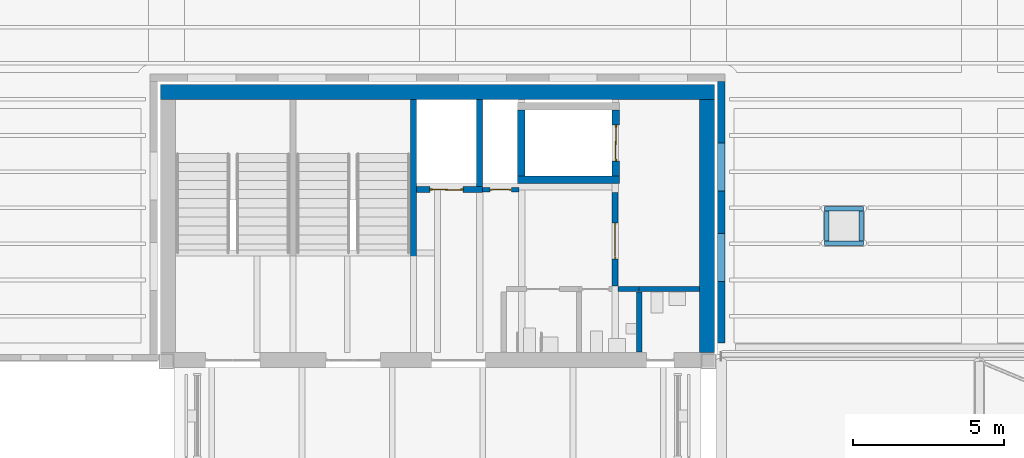
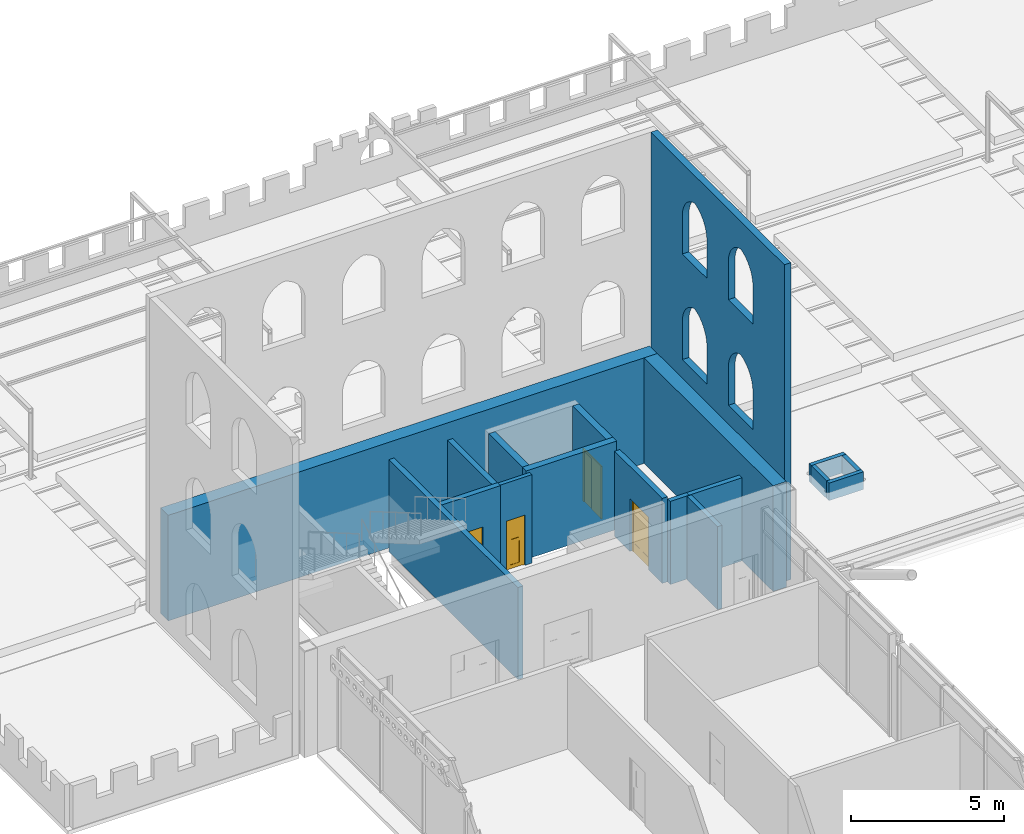
# One storey, part 110 of 153: 18 walls, 4 doors, 4 openings.
"""IFC4 building model written with IfcOpenShell, lengths in metres."""

from ifc_helpers import new_model, si_unit, direction, frame, frame_2d, origin, place, context, subcontext, project, spatial, polyline, rectangle, outline, extrude, material, layer, layer_set, type_object, element, fill, save


model = new_model("IFC4")

# Units and contexts
model_context = context("Model", 3, precision=1e-05, world=origin(), true_north=direction((0.0, 1.0)))
body_context = subcontext(model_context, "Body", "Model", "MODEL_VIEW")
ifc_project = project(units=[si_unit("LENGTHUNIT", "METRE"), si_unit("AREAUNIT", "SQUARE_METRE"), si_unit("VOLUMEUNIT", "CUBIC_METRE"), si_unit("PLANEANGLEUNIT", "RADIAN"), si_unit("MASSUNIT", "GRAM", prefix="KILO")], contexts=[model_context])

# Site, building, storey
site_placement = place(None, origin())
site = spatial("IfcSite", under=ifc_project, at=site_placement, CompositionType="ELEMENT")
building_placement = place(site_placement, origin())
building = spatial("IfcBuilding", under=site, at=building_placement, Name="Baradari Gate Terminus", CompositionType="ELEMENT")
storey_placement = place(building_placement, frame((0.0, 0.0, 11.699951171875)))
storey = spatial("IfcBuildingStorey", under=building, at=storey_placement, Name="L02", CompositionType="ELEMENT", Elevation=11.699951171875)

# Walls
ifc_material_1 = material(Name="Concrete C40/50", Category="concrete")
ifc_layer_1 = layer(ifc_material_1, 0.5)
ifc_layer_set_1 = layer_set([ifc_layer_1], Name="Concrete C40/50")
wall_type_1 = type_object("IfcWallType", Name="Abutment core wall CWL05 500", PredefinedType="SOLIDWALL", material=ifc_layer_set_1)
wall_1_placement = place(storey_placement, frame((71.800048828125, 89.949951171875, 0.0), z_axis=(0.0, 0.0, 1.0), x_axis=(1.0, 0.0, 0.0)))
element("IfcWall", 1, at=wall_1_placement, inside=storey, type_object=wall_type_1, Name="Abutment core wall GN N L02", PredefinedType="SOLIDWALL", context=body_context, shape_type="SweptSolid", body=[
    extrude(rectangle(XDim=18.39990234375, YDim=0.5, at=frame_2d((9.199951171875, 0.0))), origin(), (0.0, 0.0, 1.0), 4.199951171875),
])
wall_2_placement = place(storey_placement, frame((89.949951171875, 81.300048828125, 0.0), z_axis=(0.0, 0.0, 1.0), x_axis=(0.0, 1.0, 0.0)))
element("IfcWall", 2, at=wall_2_placement, inside=storey, type_object=wall_type_1, Name="Abutment core wall GN E L02", PredefinedType="SOLIDWALL", context=body_context, shape_type="SweptSolid", body=[
    extrude(rectangle(XDim=8.39990234375, YDim=0.5, at=frame_2d((4.199951171875, 0.0))), origin(), (0.0, 0.0, 1.0), 4.199951171875),
])
ifc_material_2 = material(Name="Concrete C32/40", Category="concrete")
ifc_layer_2 = layer(ifc_material_2, 0.25)
ifc_layer_set_2 = layer_set([ifc_layer_2], Name="Concrete C32/40")
wall_type_2 = type_object("IfcWallType", Name="Firefighting lift shaft wall SH-2 250 EI 120", PredefinedType="SOLIDWALL", material=ifc_layer_set_2)
wall_3_placement = place(storey_placement, frame((83.64990234375, 87.02490234375, 0.0), z_axis=(0.0, 0.0, 1.0), x_axis=(1.0, 0.0, 0.0)))
element("IfcWall", 3, at=wall_3_placement, inside=storey, type_object=wall_type_2, Name="Lift shaft wall LGN2 L02 S", PredefinedType="SOLIDWALL", context=body_context, shape_type="SweptSolid", body=[
    extrude(rectangle(XDim=3.400146484375, YDim=0.25, at=frame_2d((1.7001953125, 0.0))), origin(), (0.0, 0.0, 1.0), 3.51611328125),
])
wall_4_placement = place(storey_placement, frame((83.77490234375, 87.14990234375, 0.0), z_axis=(0.0, 0.0, 1.0), x_axis=(0.0, 1.0, 0.0)))
element("IfcWall", 4, at=wall_4_placement, inside=storey, type_object=wall_type_2, Name="Lift shaft wall LGN2 L02 W", PredefinedType="SOLIDWALL", context=body_context, shape_type="SweptSolid", body=[
    extrude(rectangle(XDim=2.2001953125, YDim=0.25, at=frame_2d((1.10009765625, 0.0))), origin(), (0.0, 0.0, 1.0), 3.51611328125),
])

# Wall, opening, door
wall_5_placement = place(storey_placement, frame((86.925048828125, 87.14990234375, 0.0), z_axis=(0.0, 0.0, 1.0), x_axis=(0.0, 1.0, 0.0)))
wall_5 = element("IfcWall", 5, at=wall_5_placement, inside=storey, type_object=wall_type_2, Name="Lift shaft wall LGN2 L02 E", PredefinedType="SOLIDWALL", context=body_context, shape_type="SweptSolid", body=[
    extrude(rectangle(XDim=2.2001953125, YDim=0.25, at=frame_2d((1.10009765625, 0.0))), origin(), (0.0, 0.0, 1.0), 3.51611328125),
])
opening_1_placement = place(wall_5_placement, frame((0.5, 0.0, 0.0)))
opening_1 = element("IfcOpeningElement", 6, at=opening_1_placement, cuts=wall_5, Name="Opening D02-002", PredefinedType="OPENING", context=body_context, shape_type="SweptSolid", body=[
    extrude(rectangle(XDim=1.199951171875, YDim=2.10009765625, at=frame_2d((0.60009765625, 1.050048828125))), frame((0.0, 0.135009765625, 0.0), z_axis=(0.0, -1.0, 0.0), x_axis=(1.0, 0.0, 0.0)), (0.0, 0.0, 1.0), 0.27001953125),
])
ifc_material_3 = material(Name="Stainless steel 1.4301", Category="steel")
door_type_1 = type_object("IfcDoorType", Name="Lift landing door LD2 1200x2100 E 120", OperationType="SLIDING_TO_LEFT", PredefinedType="DOOR", material=ifc_material_3)
door_1_placement = place(opening_1_placement, origin())
door_1 = element("IfcDoor", 7, at=door_1_placement, inside=storey, type_object=door_type_1, Name="Lift landing door LGN2 L02", OperationType="SLIDING_TO_LEFT", OverallHeight=2.1, OverallWidth=1.2, PredefinedType="DOOR", context=body_context, shape_type="SweptSolid", body=[
    extrude(outline(polyline([(0.0, 0.0), (0.070068359375, 0.0), (0.070068359375, 2.030029296875), (1.1298828125, 2.030029296875), (1.1298828125, 0.0), (1.199951171875, 0.0), (1.199951171875, 2.10009765625), (0.0, 2.10009765625), (0.0, 0.0)])), frame((0.0, 0.02490234375, 0.0), z_axis=(0.0, -1.0, 0.0), x_axis=(1.0, 0.0, 0.0)), (0.0, 0.0, 1.0), 0.050048828125),
    extrude(rectangle(XDim=0.57861328125, YDim=2.01611328125, at=frame_2d((0.36328125, 1.01806640625))), frame((0.0, 0.017822265625, 0.0), z_axis=(0.0, -1.0, 0.0), x_axis=(1.0, 0.0, 0.0)), (0.0, 0.0, 1.0), 0.015869140625),
    extrude(rectangle(XDim=0.57470703125, YDim=2.01611328125, at=frame_2d((0.838623046875, 1.01806640625))), frame((0.0, -0.002197265625, 0.0), z_axis=(0.0, -1.0, 0.0), x_axis=(1.0, 0.0, 0.0)), (0.0, 0.0, 1.0), 0.015869140625),
])
fill(opening_1, door_1)

# Wall
ifc_material_4 = material(Name="Laterite masonry", Category="masonry")
ifc_layer_3 = layer(ifc_material_4, 0.25)
ifc_layer_set_3 = layer_set([ifc_layer_3], Name="Laterite masonry")
wall_type_3 = type_object("IfcWallType", Name="Laterite masonry wall WP-1 250", PredefinedType="SOLIDWALL", material=ifc_layer_set_3)
wall_6_placement = place(storey_placement, frame((90.425048828125, 81.60009765625, 0.0), z_axis=(0.0, 0.0, 1.0), x_axis=(0.0, 1.0, 0.0)))
element("IfcWall", 8, at=wall_6_placement, inside=storey, type_object=wall_type_3, Name="Core front course GN east face 1", PredefinedType="SOLIDWALL", context=body_context, shape_type="SweptSolid", body=[
    extrude(outline(polyline([(0.0, 0.0), (8.699951171875, 0.0), (8.699951171875, 12.60009765625), (0.0, 12.60009765625), (0.0, 0.0)]), holes=[polyline([(2.056396484375, 2.215087890625), (2.07568359375, 2.32861328125), (2.10791015625, 2.439453125), (2.152099609375, 2.545654296875), (2.207763671875, 2.646484375), (2.274658203125, 2.740234375), (2.3515625, 2.826171875), (2.4375, 2.90283203125), (2.53173828125, 2.96923828125), (2.632568359375, 3.024658203125), (2.7392578125, 3.068359375), (2.85009765625, 3.10009765625), (2.960693359375, 3.068359375), (3.0673828125, 3.024658203125), (3.168212890625, 2.96923828125), (3.262451171875, 2.90283203125), (3.348388671875, 2.826171875), (3.42529296875, 2.740234375), (3.4921875, 2.646484375), (3.548095703125, 2.545654296875), (3.59228515625, 2.439453125), (3.624267578125, 2.32861328125), (3.6435546875, 2.215087890625), (3.64990234375, 2.10009765625), (3.64990234375, 0.60009765625), (2.050048828125, 0.60009765625), (2.050048828125, 2.10009765625), (2.056396484375, 2.215087890625)]), polyline([(5.07568359375, 2.32861328125), (5.10791015625, 2.439453125), (5.152099609375, 2.545654296875), (5.207763671875, 2.646484375), (5.274658203125, 2.740234375), (5.3515625, 2.826171875), (5.4375, 2.90283203125), (5.53173828125, 2.96923828125), (5.632568359375, 3.024658203125), (5.7392578125, 3.068359375), (5.85009765625, 3.10009765625), (5.960693359375, 3.068359375), (6.0673828125, 3.024658203125), (6.168212890625, 2.96923828125), (6.262451171875, 2.90283203125), (6.348388671875, 2.826171875), (6.42529296875, 2.740234375), (6.4921875, 2.646484375), (6.548095703125, 2.545654296875), (6.59228515625, 2.439453125), (6.624267578125, 2.32861328125), (6.6435546875, 2.215087890625), (6.64990234375, 2.10009765625), (6.64990234375, 0.60009765625), (5.050048828125, 0.60009765625), (5.050048828125, 2.10009765625), (5.056396484375, 2.215087890625), (5.07568359375, 2.32861328125)]), polyline([(2.07568359375, 6.528564453125), (2.10791015625, 6.639404296875), (2.152099609375, 6.745849609375), (2.207763671875, 6.846435546875), (2.274658203125, 6.9404296875), (2.3515625, 7.026123046875), (2.4375, 7.102783203125), (2.53173828125, 7.169189453125), (2.632568359375, 7.224609375), (2.7392578125, 7.2685546875), (2.85009765625, 7.300048828125), (2.960693359375, 7.2685546875), (3.0673828125, 7.224609375), (3.168212890625, 7.169189453125), (3.262451171875, 7.102783203125), (3.348388671875, 7.026123046875), (3.42529296875, 6.9404296875), (3.4921875, 6.846435546875), (3.548095703125, 6.745849609375), (3.59228515625, 6.639404296875), (3.624267578125, 6.528564453125), (3.6435546875, 6.4150390625), (3.64990234375, 6.300048828125), (3.64990234375, 4.800048828125), (2.050048828125, 4.800048828125), (2.050048828125, 6.300048828125), (2.056396484375, 6.4150390625), (2.07568359375, 6.528564453125)]), polyline([(5.056396484375, 6.4150390625), (5.07568359375, 6.528564453125), (5.10791015625, 6.639404296875), (5.152099609375, 6.745849609375), (5.207763671875, 6.846435546875), (5.274658203125, 6.9404296875), (5.3515625, 7.026123046875), (5.4375, 7.102783203125), (5.53173828125, 7.169189453125), (5.632568359375, 7.224609375), (5.7392578125, 7.2685546875), (5.85009765625, 7.300048828125), (5.960693359375, 7.2685546875), (6.0673828125, 7.224609375), (6.168212890625, 7.169189453125), (6.262451171875, 7.102783203125), (6.348388671875, 7.026123046875), (6.42529296875, 6.9404296875), (6.4921875, 6.846435546875), (6.548095703125, 6.745849609375), (6.59228515625, 6.639404296875), (6.624267578125, 6.528564453125), (6.6435546875, 6.4150390625), (6.64990234375, 6.300048828125), (6.64990234375, 4.800048828125), (5.050048828125, 4.800048828125), (5.050048828125, 6.300048828125), (5.056396484375, 6.4150390625)]), polyline([(2.07568359375, 10.728759765625), (2.10791015625, 10.83935546875), (2.152099609375, 10.94580078125), (2.207763671875, 11.04638671875), (2.274658203125, 11.140380859375), (2.3515625, 11.22607421875), (2.4375, 11.302734375), (2.53173828125, 11.369140625), (2.632568359375, 11.424560546875), (2.7392578125, 11.468505859375), (2.85009765625, 11.5), (2.960693359375, 11.468505859375), (3.0673828125, 11.424560546875), (3.168212890625, 11.369140625), (3.262451171875, 11.302734375), (3.348388671875, 11.22607421875), (3.42529296875, 11.140380859375), (3.4921875, 11.04638671875), (3.548095703125, 10.94580078125), (3.59228515625, 10.83935546875), (3.624267578125, 10.728759765625), (3.6435546875, 10.614990234375), (3.64990234375, 10.5), (3.64990234375, 9.0), (2.050048828125, 9.0), (2.050048828125, 10.5), (2.056396484375, 10.614990234375), (2.07568359375, 10.728759765625)]), polyline([(5.07568359375, 10.728759765625), (5.10791015625, 10.83935546875), (5.152099609375, 10.94580078125), (5.207763671875, 11.04638671875), (5.274658203125, 11.140380859375), (5.3515625, 11.22607421875), (5.4375, 11.302734375), (5.53173828125, 11.369140625), (5.632568359375, 11.424560546875), (5.7392578125, 11.468505859375), (5.85009765625, 11.5), (5.960693359375, 11.468505859375), (6.0673828125, 11.424560546875), (6.168212890625, 11.369140625), (6.262451171875, 11.302734375), (6.348388671875, 11.22607421875), (6.42529296875, 11.140380859375), (6.4921875, 11.04638671875), (6.548095703125, 10.94580078125), (6.59228515625, 10.83935546875), (6.624267578125, 10.728759765625), (6.6435546875, 10.614990234375), (6.64990234375, 10.5), (6.64990234375, 9.0), (5.050048828125, 9.0), (5.050048828125, 10.5), (5.056396484375, 10.614990234375), (5.07568359375, 10.728759765625)])]), frame((0.0, 0.125, 0.0), z_axis=(0.0, -1.0, 0.0), x_axis=(1.0, 0.0, 0.0)), (0.0, 0.0, 1.0), 0.25),
])

# Wall, opening, door
ifc_material_5 = material(Name="Blockwork wall, fire rated", Category="masonry")
ifc_layer_4 = layer(ifc_material_5, 0.199951171875)
ifc_layer_set_4 = layer_set([ifc_layer_4], Name="Blockwork wall, fire rated")
wall_type_4 = type_object("IfcWallType", Name="Lift shaft wall SH-1 200 EI 120", PredefinedType="SOLIDWALL", material=ifc_layer_set_4)
wall_7_placement = place(storey_placement, frame((80.302001953125, 86.699951171875, 0.0), z_axis=(0.0, 0.0, 1.0), x_axis=(1.0, 0.0, 0.0)))
wall_7 = element("IfcWall", 9, at=wall_7_placement, inside=storey, type_object=wall_type_4, Name="Lift shaft wall LGN1 L02 S", PredefinedType="SOLIDWALL", context=body_context, shape_type="SweptSolid", body=[
    extrude(rectangle(XDim=2.197998046875, YDim=0.199951171875, at=frame_2d((1.09912109375, 0.0))), origin(), (0.0, 0.0, 1.0), 3.51611328125),
])
opening_2_placement = place(wall_7_placement, frame((0.447998046875, 0.0, 0.0)))
opening_2 = element("IfcOpeningElement", 10, at=opening_2_placement, cuts=wall_7, Name="Opening D02-001", PredefinedType="OPENING", context=body_context, shape_type="SweptSolid", body=[
    extrude(rectangle(XDim=1.10009765625, YDim=2.10009765625, at=frame_2d((0.550048828125, 1.050048828125))), frame((0.0, 0.10986328125, 0.0), z_axis=(0.0, -1.0, 0.0), x_axis=(1.0, 0.0, 0.0)), (0.0, 0.0, 1.0), 0.219970703125),
])
ifc_material_6 = material(Name="Stainless steel 1.4301", Category="steel")
door_type_2 = type_object("IfcDoorType", Name="Lift landing door LD 1100x2100 E 120", OperationType="SLIDING_TO_LEFT", PredefinedType="DOOR", material=ifc_material_6)
door_2_placement = place(opening_2_placement, origin())
door_2 = element("IfcDoor", 11, at=door_2_placement, inside=storey, type_object=door_type_2, Name="Lift landing door LGN1 L02", OperationType="SLIDING_TO_LEFT", OverallHeight=2.1, OverallWidth=1.1, PredefinedType="DOOR", context=body_context, shape_type="SweptSolid", body=[
    extrude(outline(polyline([(0.0, 0.0), (0.070068359375, 0.0), (0.070068359375, 2.030029296875), (1.030029296875, 2.030029296875), (1.030029296875, 0.0), (1.10009765625, 0.0), (1.10009765625, 2.10009765625), (0.0, 2.10009765625), (0.0, 0.0)])), frame((0.0, 0.02490234375, 0.0), z_axis=(0.0, -1.0, 0.0), x_axis=(1.0, 0.0, 0.0)), (0.0, 0.0, 1.0), 0.050048828125),
    extrude(rectangle(XDim=0.523681640625, YDim=2.01611328125, at=frame_2d((0.3359375, 1.01806640625))), frame((0.0, 0.017822265625, 0.0), z_axis=(0.0, -1.0, 0.0), x_axis=(1.0, 0.0, 0.0)), (0.0, 0.0, 1.0), 0.015869140625),
    extrude(rectangle(XDim=0.519775390625, YDim=2.01611328125, at=frame_2d((0.76611328125, 1.01806640625))), frame((0.0, -0.002197265625, 0.0), z_axis=(0.0, -1.0, 0.0), x_axis=(1.0, 0.0, 0.0)), (0.0, 0.0, 1.0), 0.015869140625),
])
fill(opening_2, door_2)

# Wall
wall_8_placement = place(storey_placement, frame((82.39990234375, 86.800048828125, 0.0), z_axis=(0.0, 0.0, 1.0), x_axis=(0.0, 1.0, 0.0)))
element("IfcWall", 12, at=wall_8_placement, inside=storey, type_object=wall_type_4, Name="Lift shaft wall LGN1 L02 E", PredefinedType="SOLIDWALL", context=body_context, shape_type="SweptSolid", body=[
    extrude(rectangle(XDim=2.89794921875, YDim=0.199951171875, at=frame_2d((1.448974609375, 0.0))), origin(), (0.0, 0.0, 1.0), 3.51611328125),
])

# Wall, opening, door
ifc_material_7 = material(Name="Blockwork wall, plastered, fire rated", Category="masonry")
ifc_layer_5 = layer(ifc_material_7, 0.199951171875)
ifc_layer_set_5 = layer_set([ifc_layer_5], Name="Blockwork wall, plastered, fire rated")
wall_type_5 = type_object("IfcWallType", Name="Lobby partition PT-4 200 EI 60", PredefinedType="PARTITIONING", material=ifc_layer_set_5)
wall_9_placement = place(storey_placement, frame((86.89990234375, 86.60009765625, 0.0), z_axis=(0.0, 0.0, 1.0), x_axis=(0.0, -1.0, 0.0)))
wall_9 = element("IfcWall", 13, at=wall_9_placement, inside=storey, type_object=wall_type_5, Name="PT-4 partition Lift Lobby / Lift Lobby (Fire-fighting)", PredefinedType="PARTITIONING", context=body_context, shape_type="SweptSolid", body=[
    extrude(rectangle(XDim=3.10009765625, YDim=0.199951171875, at=frame_2d((1.550048828125, 0.0))), origin(), (0.0, 0.0, 1.0), 3.382080078125),
])
opening_3_placement = place(wall_9_placement, frame((1.0, 0.0, 0.0)))
opening_3 = element("IfcOpeningElement", 14, at=opening_3_placement, cuts=wall_9, Name="Opening D02-030", PredefinedType="OPENING", context=body_context, shape_type="SweptSolid", body=[
    extrude(rectangle(XDim=1.199951171875, YDim=2.10009765625, at=frame_2d((0.60009765625, 1.050048828125))), frame((0.0, 0.10986328125, 0.0), z_axis=(0.0, -1.0, 0.0), x_axis=(1.0, 0.0, 0.0)), (0.0, 0.0, 1.0), 0.219970703125),
])
ifc_material_8 = material(Name="Steel S275", Category="steel")
door_type_3 = type_object("IfcDoorType", Name="Fire door FI-1200-FD60S 1200x2100 FD60S", OperationType="DOUBLE_DOOR_SINGLE_SWING", PredefinedType="DOOR", material=ifc_material_8)
door_3_placement = place(opening_3_placement, origin())
door_3 = element("IfcDoor", 15, at=door_3_placement, inside=storey, type_object=door_type_3, Name="Door Lift Lobby (Fire-fighting)", OperationType="DOUBLE_DOOR_SINGLE_SWING", OverallHeight=2.1, OverallWidth=1.2, PredefinedType="DOOR", context=body_context, shape_type="SweptSolid", body=[
    extrude(outline(polyline([(0.0, 0.0), (0.070068359375, 0.0), (0.070068359375, 2.030029296875), (1.1298828125, 2.030029296875), (1.1298828125, 0.0), (1.199951171875, 0.0), (1.199951171875, 2.10009765625), (0.0, 2.10009765625), (0.0, 0.0)])), frame((0.0, 0.02490234375, 0.0), z_axis=(0.0, -1.0, 0.0), x_axis=(1.0, 0.0, 0.0)), (0.0, 0.0, 1.0), 0.050048828125),
    extrude(outline(polyline([(0.073974609375, 0.010009765625), (0.596923828125, 0.010009765625), (0.596923828125, 2.026123046875), (0.073974609375, 2.026123046875), (0.073974609375, 0.010009765625)]), holes=[polyline([(0.178466796875, 0.372802734375), (0.492431640625, 0.372802734375), (0.492431640625, 1.7841796875), (0.178466796875, 1.7841796875), (0.178466796875, 0.372802734375)])]), frame((0.0, 0.017333984375, 0.0), z_axis=(0.0, -1.0, 0.0), x_axis=(1.0, 0.0, 0.0)), (0.0, 0.0, 1.0), 0.034912109375),
    extrude(rectangle(XDim=0.31396484375, YDim=1.411376953125, at=frame_2d((0.33544921875, 1.07861328125))), frame((0.0, 0.008544921875, 0.0), z_axis=(0.0, -1.0, 0.0), x_axis=(1.0, 0.0, 0.0)), (0.0, 0.0, 1.0), 0.017333984375),
    extrude(outline(polyline([(0.60302734375, 0.010009765625), (1.1259765625, 0.010009765625), (1.1259765625, 2.026123046875), (0.60302734375, 2.026123046875), (0.60302734375, 0.010009765625)]), holes=[polyline([(0.70751953125, 0.372802734375), (1.021484375, 0.372802734375), (1.021484375, 1.7841796875), (0.70751953125, 1.7841796875), (0.70751953125, 0.372802734375)])]), frame((0.0, 0.017333984375, 0.0), z_axis=(0.0, -1.0, 0.0), x_axis=(1.0, 0.0, 0.0)), (0.0, 0.0, 1.0), 0.034912109375),
    extrude(rectangle(XDim=0.31396484375, YDim=1.411376953125, at=frame_2d((0.864501953125, 1.07861328125))), frame((0.0, 0.008544921875, 0.0), z_axis=(0.0, -1.0, 0.0), x_axis=(1.0, 0.0, 0.0)), (0.0, 0.0, 1.0), 0.017333984375),
])
fill(opening_3, door_3)

ifc_material_9 = material(Name="Blockwork wall, fire rated", Category="masonry")
ifc_layer_6 = layer(ifc_material_9, 0.14990234375)
ifc_layer_set_6 = layer_set([ifc_layer_6], Name="Blockwork wall, fire rated")
wall_type_6 = type_object("IfcWallType", Name="Riser wall RW-1 150 EI 120", PredefinedType="SOLIDWALL", material=ifc_layer_set_6)
wall_10_placement = place(storey_placement, frame((82.501953125, 86.699951171875, 0.0), z_axis=(0.0, 0.0, 1.0), x_axis=(1.0, 0.0, 0.0)))
wall_10 = element("IfcWall", 16, at=wall_10_placement, inside=storey, type_object=wall_type_6, Name="RW-1 partition Lift Lobby / Riser", PredefinedType="SOLIDWALL", context=body_context, shape_type="SweptSolid", body=[
    extrude(rectangle(XDim=1.197998046875, YDim=0.14990234375, at=frame_2d((0.59912109375, 0.0))), origin(), (0.0, 0.0, 1.0), 3.51611328125),
])
opening_4_placement = place(wall_10_placement, frame((0.248046875, 0.0, 0.0)))
opening_4 = element("IfcOpeningElement", 17, at=opening_4_placement, cuts=wall_10, Name="Opening D02-031", PredefinedType="OPENING", context=body_context, shape_type="SweptSolid", body=[
    extrude(rectangle(XDim=0.699951171875, YDim=2.0, at=frame_2d((0.35009765625, 1.0))), frame((0.0, 0.0849609375, 0.0), z_axis=(0.0, -1.0, 0.0), x_axis=(1.0, 0.0, 0.0)), (0.0, 0.0, 1.0), 0.169921875),
])
ifc_material_10 = material(Name="Steel S275", Category="steel")
door_type_4 = type_object("IfcDoorType", Name="Fire door FI-700x2000-FD90S 700x2000 FD90S", OperationType="SINGLE_SWING_LEFT", PredefinedType="DOOR", material=ifc_material_10)
door_4_placement = place(opening_4_placement, origin())
door_4 = element("IfcDoor", 18, at=door_4_placement, inside=storey, type_object=door_type_4, Name="Door Riser", OperationType="SINGLE_SWING_LEFT", OverallHeight=2.0, OverallWidth=0.7, PredefinedType="DOOR", context=body_context, shape_type="SweptSolid", body=[
    extrude(outline(polyline([(0.0, 0.0), (0.070068359375, 0.0), (0.070068359375, 1.929931640625), (0.6298828125, 1.929931640625), (0.6298828125, 0.0), (0.699951171875, 0.0), (0.699951171875, 2.0), (0.0, 2.0), (0.0, 0.0)])), frame((0.0, 0.02490234375, 0.0), z_axis=(0.0, -1.0, 0.0), x_axis=(1.0, 0.0, 0.0)), (0.0, 0.0, 1.0), 0.050048828125),
    extrude(outline(polyline([(0.073974609375, 0.010009765625), (0.6259765625, 0.010009765625), (0.6259765625, 1.926025390625), (0.073974609375, 1.926025390625), (0.073974609375, 0.010009765625)]), holes=[polyline([(0.184326171875, 0.159912109375), (0.515625, 0.159912109375), (0.515625, 1.010009765625), (0.184326171875, 1.010009765625), (0.184326171875, 0.159912109375)]), polyline([(0.199951171875, 1.159912109375), (0.5, 1.159912109375), (0.5, 1.760009765625), (0.199951171875, 1.760009765625), (0.199951171875, 1.159912109375)])]), frame((0.0, 0.017333984375, 0.0), z_axis=(0.0, -1.0, 0.0), x_axis=(1.0, 0.0, 0.0)), (0.0, 0.0, 1.0), 0.034912109375),
    extrude(rectangle(XDim=0.331298828125, YDim=0.85009765625, at=frame_2d((0.35009765625, 0.5849609375))), frame((0.0, 0.008544921875, 0.0), z_axis=(0.0, -1.0, 0.0), x_axis=(1.0, 0.0, 0.0)), (0.0, 0.0, 1.0), 0.017333984375),
    extrude(rectangle(XDim=0.300048828125, YDim=0.60009765625, at=frame_2d((0.35009765625, 1.4599609375))), frame((0.0, 0.005859375, 0.0), z_axis=(0.0, -1.0, 0.0), x_axis=(1.0, 0.0, 0.0)), (0.0, 0.0, 1.0), 0.011962890625),
])
fill(opening_4, door_4)

# Walls
ifc_material_11 = material(Name="Concrete C25/30", Category="concrete")
ifc_layer_7 = layer(ifc_material_11, 0.14990234375)
ifc_layer_set_7 = layer_set([ifc_layer_7], Name="Concrete C25/30")
wall_type_7 = type_object("IfcWallType", Name="Roof hatch kerb HK-1 150", PredefinedType="PARAPET", material=ifc_layer_set_7)
wall_11_placement = place(storey_placement, frame((93.85009765625, 84.925048828125, 0.0), z_axis=(0.0, 0.0, 1.0), x_axis=(1.0, 0.0, 0.0)))
element("IfcWall", 19, at=wall_11_placement, inside=storey, type_object=wall_type_7, Name="Roof hatch kerb wall RH1", PredefinedType="PARAPET", context=body_context, shape_type="SweptSolid", body=[
    extrude(rectangle(XDim=1.2998046875, YDim=0.14990234375, at=frame_2d((0.64990234375, 0.0))), origin(), (0.0, 0.0, 1.0), 0.699951171875),
])
wall_12_placement = place(storey_placement, frame((95.074951171875, 85.0, 0.0), z_axis=(0.0, 0.0, 1.0), x_axis=(0.0, 1.0, 0.0)))
element("IfcWall", 20, at=wall_12_placement, inside=storey, type_object=wall_type_7, Name="Roof hatch kerb wall RH1", PredefinedType="PARAPET", context=body_context, shape_type="SweptSolid", body=[
    extrude(rectangle(XDim=1.0, YDim=0.14990234375, at=frame_2d((0.5, 0.0))), origin(), (0.0, 0.0, 1.0), 0.699951171875),
])
wall_13_placement = place(storey_placement, frame((95.14990234375, 86.074951171875, 0.0), z_axis=(0.0, 0.0, 1.0), x_axis=(-1.0, 0.0, 0.0)))
element("IfcWall", 21, at=wall_13_placement, inside=storey, type_object=wall_type_7, Name="Roof hatch kerb wall RH1", PredefinedType="PARAPET", context=body_context, shape_type="SweptSolid", body=[
    extrude(rectangle(XDim=1.2998046875, YDim=0.14990234375, at=frame_2d((0.64990234375, 0.0))), origin(), (0.0, 0.0, 1.0), 0.699951171875),
])
wall_14_placement = place(storey_placement, frame((93.925048828125, 86.0, 0.0), z_axis=(0.0, 0.0, 1.0), x_axis=(0.0, -1.0, 0.0)))
element("IfcWall", 22, at=wall_14_placement, inside=storey, type_object=wall_type_7, Name="Roof hatch kerb wall RH1", PredefinedType="PARAPET", context=body_context, shape_type="SweptSolid", body=[
    extrude(rectangle(XDim=1.0, YDim=0.14990234375, at=frame_2d((0.5, 0.0))), origin(), (0.0, 0.0, 1.0), 0.699951171875),
])
ifc_material_12 = material(Name="Concrete C40/50", Category="concrete")
ifc_layer_8 = layer(ifc_material_12, 0.199951171875)
ifc_layer_set_8 = layer_set([ifc_layer_8], Name="Concrete C40/50")
wall_type_8 = type_object("IfcWallType", Name="Stair enclosure wall SE-4 200 EI 120", PredefinedType="SOLIDWALL", material=ifc_layer_set_8)
wall_15_placement = place(storey_placement, frame((80.199951171875, 81.302001953125, -0.14990234375), z_axis=(0.0, 0.0, 1.0), x_axis=(0.0, 1.0, 0.0)))
element("IfcWall", 23, at=wall_15_placement, inside=storey, type_object=wall_type_8, Name="Stair enclosure wall SE-4 ST-GN2 L02 E", PredefinedType="SOLIDWALL", context=body_context, shape_type="SweptSolid", body=[
    extrude(rectangle(XDim=8.39599609375, YDim=0.199951171875, at=frame_2d((4.197998046875, 0.0))), origin(), (0.0, 0.0, 1.0), 3.666015625),
])
ifc_material_13 = material(Name="Blockwork wall, tiled both faces", Category="masonry")
ifc_layer_9 = layer(ifc_material_13, 0.175048828125)
ifc_layer_set_9 = layer_set([ifc_layer_9], Name="Blockwork wall, tiled both faces")
wall_type_9 = type_object("IfcWallType", Name="WC wet wall PT-6 175 EI 60", PredefinedType="PARTITIONING", material=ifc_layer_set_9)
wall_16_placement = place(storey_placement, frame((87.699951171875, 83.39990234375, 0.0), z_axis=(0.0, 0.0, 1.0), x_axis=(-1.0, 0.0, 0.0)))
element("IfcWall", 24, at=wall_16_placement, inside=storey, type_object=wall_type_9, Name="PT-6 partition Lift Lobby (Fire-fighting) / Male WC", PredefinedType="PARTITIONING", context=body_context, shape_type="SweptSolid", body=[
    extrude(rectangle(XDim=0.699951171875, YDim=0.175048828125, at=frame_2d((0.35009765625, 0.0))), origin(), (0.0, 0.0, 1.0), 3.30712890625),
])
for number, where, z_axis, x_axis, name in (
    (25, (89.697998046875, 83.39990234375, 0.0), (0.0, 0.0, 1.0), (-1.0, 0.0, 0.0), "PT-6 partition Lift Lobby (Fire-fighting) / Female WC"),
    (26, (87.699951171875, 83.300048828125, 0.0), (0.0, 0.0, 1.0), (0.0, -1.0, 0.0), "PT-6 partition Male WC / Female WC"),
):
    element("IfcWall", number, at=place(storey_placement, frame(where, z_axis=z_axis, x_axis=x_axis)), inside=storey, type_object=wall_type_9, Name=name, PredefinedType="PARTITIONING", context=body_context, shape_type="SweptSolid", body=[
        extrude(rectangle(XDim=1.998046875, YDim=0.175048828125, at=frame_2d((0.9990234375, 0.0))), origin(), (0.0, 0.0, 1.0), 3.30712890625),
    ])

save(model, "model.ifc")
